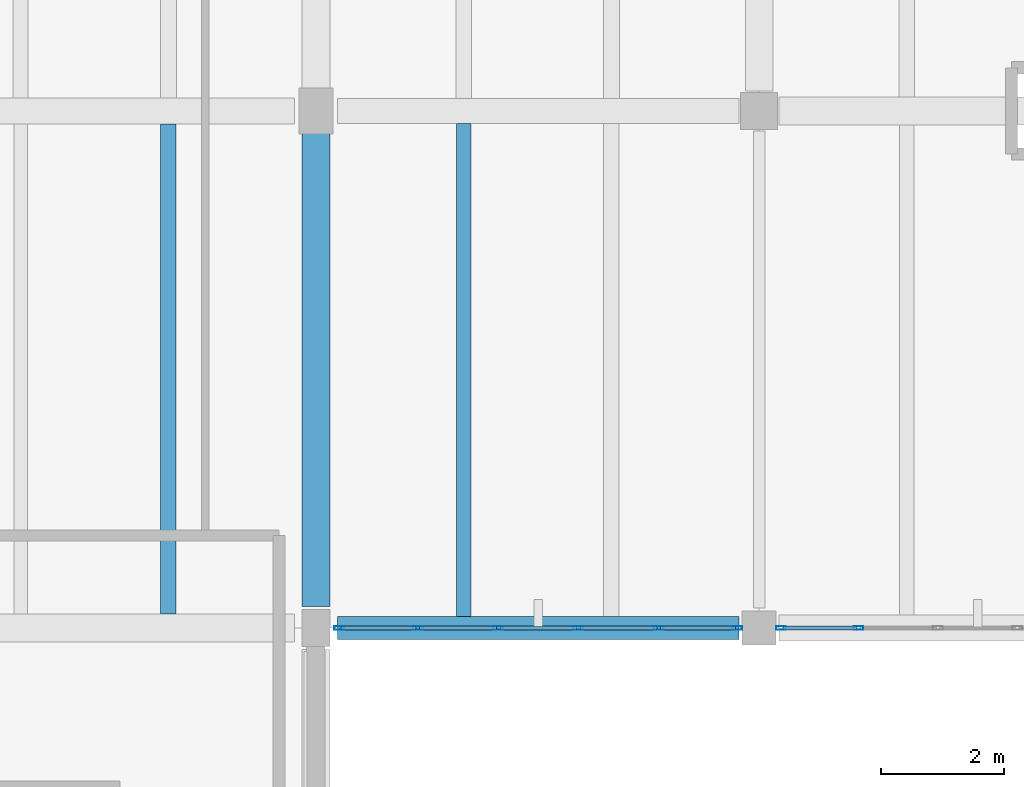
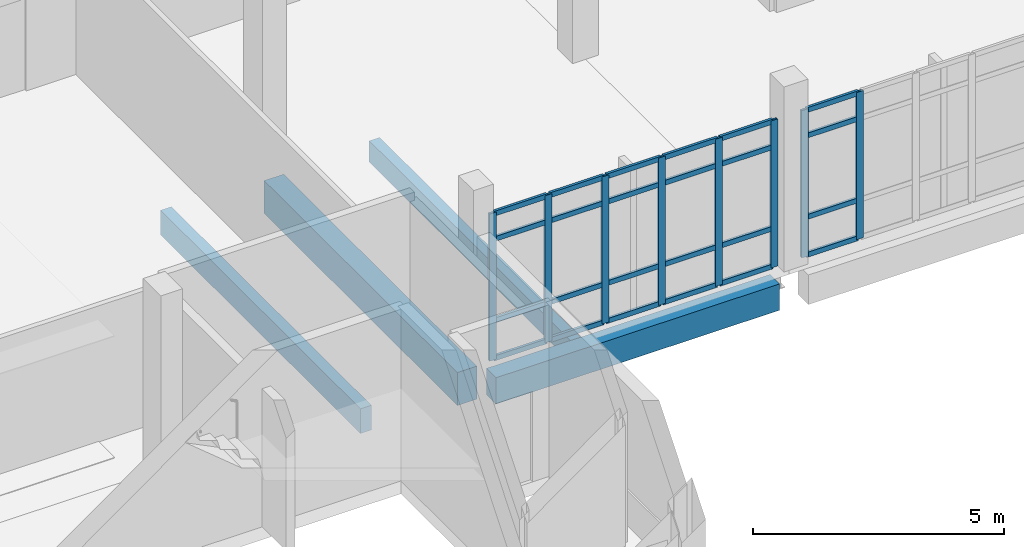
# One storey, part 28 of 62: 32 members, 4 beams, 2 elements without a shape of their own.
"""IFC4 building model written with IfcOpenShell, lengths in metres."""

import ifcopenshell
import ifcopenshell.guid

model = None  # the IFC model being written
_history = None  # IfcOwnerHistory: only IFC2X3 demands one
_inside = {}  # id of a spatial element -> (the spatial element, [elements in it])
_under = {}  # id of a project, library or spatial element -> (it, [spatial elements below it])
_declared = {}  # id of a project -> (the project, [libraries it declares])
_typed = {}  # id of a type object -> (the type object, [elements of that type])
_made_of = {}  # id of a material, layer set ... -> (it, [elements and type objects made of it])


def new_model(schema):
    """Start an empty IFC model of exactly this schema.

    Asked for "IFC4X3", IfcOpenShell would pick the latest addendum, in which some entities
    have other attributes; the version numbers below select the first issue.
    IFC2X3 requires an IfcOwnerHistory on every rooted entity: one is made here for all.
    """
    global model, _history
    if schema == "IFC4X3":
        model = ifcopenshell.file(schema_version=(4, 3, 0, 0))
    else:
        model = ifcopenshell.file(schema=schema)
    _inside.clear()
    _under.clear()
    _declared.clear()
    _typed.clear()
    _made_of.clear()
    _history = None
    if model.schema == "IFC2X3":
        org = make("IfcOrganization", Name="unknown")
        user = make(
            "IfcPersonAndOrganization",
            ThePerson=make("IfcPerson", FamilyName="unknown"),
            TheOrganization=org,
        )
        app = make(
            "IfcApplication",
            ApplicationDeveloper=org,
            Version="unknown",
            ApplicationFullName="unknown",
            ApplicationIdentifier="unknown",
        )
        _history = make(
            "IfcOwnerHistory",
            OwningUser=user,
            OwningApplication=app,
            ChangeAction="ADDED",
            CreationDate=0,
        )
    return model


def make(cls, **values):
    """One entity of the class cls with the attributes given. An attribute that is None is left unset."""
    return model.create_entity(
        cls, **{name: value for name, value in values.items() if value is not None}
    )


def rooted(cls, **values):
    """An entity with a GlobalId (a new one), such as an element, a storey or a relation."""
    return make(cls, GlobalId=ifcopenshell.guid.new(), OwnerHistory=_history, **values)


def si_unit(unit_type, name, prefix=None):
    """IfcSIUnit, for example si_unit("LENGTHUNIT", "METRE", prefix="MILLI")."""
    return make("IfcSIUnit", UnitType=unit_type, Prefix=prefix, Name=name)


def assignment(units):
    """IfcUnitAssignment: the units of a project."""
    return None if units is None else make("IfcUnitAssignment", Units=units)


def point(xyz):
    """IfcCartesianPoint."""
    return None if xyz is None else make("IfcCartesianPoint", Coordinates=xyz)


def direction(xyz):
    """IfcDirection."""
    return None if xyz is None else make("IfcDirection", DirectionRatios=xyz)


def frame(location, z_axis=None, x_axis=None):
    """IfcAxis2Placement3D, a coordinate frame: its origin and axes. An axis left out is left unset."""
    return make(
        "IfcAxis2Placement3D",
        Location=point(location),
        Axis=direction(z_axis),
        RefDirection=direction(x_axis),
    )


def frame_2d(location, x_axis=None):
    """IfcAxis2Placement2D, a coordinate frame in the plane: its origin and x axis."""
    return make(
        "IfcAxis2Placement2D", Location=point(location), RefDirection=direction(x_axis)
    )


def origin():
    """The frame at (0, 0, 0) with its axes left unset."""
    return frame((0.0, 0.0, 0.0))


def origin_2d():
    """The frame at (0, 0) in the plane with its x axis left unset."""
    return frame_2d((0.0, 0.0))


def place(relative_to, where):
    """IfcLocalPlacement: puts the frame where relative to a parent placement (None: the world)."""
    return make(
        "IfcLocalPlacement", PlacementRelTo=relative_to, RelativePlacement=where
    )


def context(
    kind, dimensions, precision=None, world=None, true_north=None, identifier=None
):
    """IfcGeometricRepresentationContext, for example the 3D "Model" context."""
    return make(
        "IfcGeometricRepresentationContext",
        ContextIdentifier=identifier,
        ContextType=kind,
        CoordinateSpaceDimension=dimensions,
        Precision=precision,
        WorldCoordinateSystem=world,
        TrueNorth=true_north,
    )


def subcontext(parent, identifier, kind, view, scale=None):
    """IfcGeometricRepresentationSubContext, for example "Body" below "Model"."""
    return make(
        "IfcGeometricRepresentationSubContext",
        ContextIdentifier=identifier,
        ContextType=kind,
        ParentContext=parent,
        TargetScale=scale,
        TargetView=view,
    )


def project(units=None, contexts=None):
    """IfcProject with its units and contexts."""
    return rooted(
        "IfcProject",
        Name="project",
        RepresentationContexts=contexts,
        UnitsInContext=assignment(units),
    )


def spatial(cls, under=None, at=None, **own):
    """A site, building, storey or space (cls), placed at a placement, below another one or the project."""
    s = rooted(cls, ObjectPlacement=at, **own)
    if under is not None:
        _under.setdefault(under.id(), (under, []))[1].append(s)
    return s


def profile(cls, at=None, kind="AREA", **sizes):
    """A parametric profile (cls). Its sizes go by their IFC names, for example OverallWidth=200.0."""
    return make(cls, ProfileType=kind, Position=at, **sizes)


def rectangle(**sizes):
    """IfcRectangleProfileDef."""
    return profile("IfcRectangleProfileDef", **sizes)


def hollow_rectangle(**sizes):
    """IfcRectangleHollowProfileDef."""
    return profile("IfcRectangleHollowProfileDef", **sizes)


def extrude(swept, where, along, depth):
    """IfcExtrudedAreaSolid: the profile swept, set in the frame where, extruded along a direction by depth."""
    return make(
        "IfcExtrudedAreaSolid",
        SweptArea=swept,
        Position=where,
        ExtrudedDirection=direction(along),
        Depth=depth,
    )


def shape(context_of_items, identifier, shape_type, items):
    """IfcShapeRepresentation: the items that make up one representation, for example the "Body"."""
    return make(
        "IfcShapeRepresentation",
        ContextOfItems=context_of_items,
        RepresentationIdentifier=identifier,
        RepresentationType=shape_type,
        Items=items,
    )


def material(Name=None, Category=None):
    """IfcMaterial."""
    return make("IfcMaterial", Name=Name, Category=Category)


def material_profile(
    of_material, cross_section, Name=None, Category=None, Priority=None
):
    """IfcMaterialProfile: a cross section and its material."""
    return make(
        "IfcMaterialProfile",
        Name=Name,
        Material=of_material,
        Profile=cross_section,
        Priority=Priority,
        Category=Category,
    )


def profile_set(profiles, Name=None, composite=None):
    """IfcMaterialProfileSet."""
    return make(
        "IfcMaterialProfileSet",
        Name=Name,
        MaterialProfiles=profiles,
        CompositeProfile=composite,
    )


def made_of(thing, what):
    """Note that an element or type object is made of a material, layer set ...; save() writes the relation."""
    if what is not None:
        _made_of.setdefault(what.id(), (what, []))[1].append(thing)
    return thing


def type_object(cls, material=None, **own):
    """A type object (cls), such as IfcWallType, which elements share."""
    return made_of(rooted(cls, **own), material)


def element(
    cls,
    number,
    at=None,
    inside=None,
    cuts=None,
    type_object=None,
    material=None,
    context=None,
    identifier="Body",
    shape_type=None,
    held_by="IfcProductDefinitionShape",
    body=None,
    shapes=None,
    **own,
):
    """One element of the class cls, such as IfcWall. Its Tag is "e" and its number.

    at: its placement. inside: the storey or other place that contains it. cuts: it is an
    opening in that element (IfcRelVoidsElement). A single representation is given by context,
    identifier, shape_type and body (its items); several are given by shapes. held_by: the class
    of the entity that holds the representations. save() writes the other relations.
    """
    e = rooted(cls, Tag="e%d" % number, ObjectPlacement=at, **own)
    if body is not None:
        shapes = [shape(context, identifier, shape_type, body)]
    if shapes is not None:
        e.Representation = make(held_by, Representations=shapes)
    if inside is not None:
        _inside.setdefault(inside.id(), (inside, []))[1].append(e)
    if cuts is not None:
        rooted(
            "IfcRelVoidsElement", RelatingBuildingElement=cuts, RelatedOpeningElement=e
        )
    if type_object is not None:
        _typed.setdefault(type_object.id(), (type_object, []))[1].append(e)
    return made_of(e, material)


def aggregate(whole, parts):
    """IfcRelAggregates: a whole, such as a stair, and the parts it consists of."""
    return rooted("IfcRelAggregates", RelatingObject=whole, RelatedObjects=parts)


def save(model, path):
    """Write the relations noted so far, then the file.

    IfcRelAggregates (storeys below a building ...), IfcRelContainedInSpatialStructure (elements
    in a storey), IfcRelDefinesByType, IfcRelAssociatesMaterial and IfcRelDeclares: one each for
    every whole, place, type object, material and project.
    """
    for whole, parts in _under.values():
        aggregate(whole, parts)
    for where, things in _inside.values():
        rooted(
            "IfcRelContainedInSpatialStructure",
            RelatedElements=things,
            RelatingStructure=where,
        )
    for kind, things in _typed.values():
        rooted("IfcRelDefinesByType", RelatedObjects=things, RelatingType=kind)
    for what, things in _made_of.values():
        rooted("IfcRelAssociatesMaterial", RelatedObjects=things, RelatingMaterial=what)
    for by, libraries in _declared.values():
        rooted("IfcRelDeclares", RelatingContext=by, RelatedDefinitions=libraries)
    model.write(path)


model = new_model("IFC4")

# Units and contexts
model_context = context("Model", 3, precision=1e-05, world=origin(), true_north=direction((0.0, 1.0)))
body_context = subcontext(model_context, "Body", "Model", "MODEL_VIEW")
ifc_project = project(units=[si_unit("LENGTHUNIT", "METRE"), si_unit("AREAUNIT", "SQUARE_METRE"), si_unit("VOLUMEUNIT", "CUBIC_METRE"), si_unit("PLANEANGLEUNIT", "RADIAN"), si_unit("MASSUNIT", "GRAM", prefix="KILO")], contexts=[model_context])

# Site, building, storey
site_placement = place(None, origin())
site = spatial("IfcSite", under=ifc_project, at=site_placement, CompositionType="ELEMENT")
building_placement = place(site_placement, origin())
building = spatial("IfcBuilding", under=site, at=building_placement, Name="Kalluvel Institute of Natural Sciences", CompositionType="ELEMENT")
storey_placement = place(building_placement, frame((0.0, 0.0, 27.89990234375)))
storey = spatial("IfcBuildingStorey", under=building, at=storey_placement, Name="L06", CompositionType="ELEMENT", Elevation=27.89990234375)

# Beams
ifc_material_1 = material(Name="Concrete M40", Category="concrete")
ifc_material_profile_1 = material_profile(ifc_material_1, rectangle(XDim=0.3798828125, YDim=0.639892578125, at=origin_2d()), Name="RCB 380x640")
ifc_profile_set_1 = profile_set([ifc_material_profile_1], Name="Concrete M40")
beam_type_1 = type_object("IfcBeamType", Name="BM-RC380x640", PredefinedType="BEAM", material=ifc_profile_set_1)
beam_1_placement = place(storey_placement, frame((57.550048828125, 102.800048828125, -0.639892578125), z_axis=(1.0, 0.0, 0.0), x_axis=(0.0, 1.0, 0.0)))
element("IfcBeam", 1, at=beam_1_placement, inside=storey, type_object=beam_type_1, Name="L06 girder GIR-L06-EW-X572-Y1028", PredefinedType="BEAM", context=body_context, shape_type="SweptSolid", body=[
    extrude(rectangle(XDim=0.3798828125, YDim=0.639892578125, at=origin_2d()), origin(), (0.0, 0.0, 1.0), 6.52490234375),
])
ifc_material_profile_2 = material_profile(ifc_material_1, rectangle(XDim=0.449951171875, YDim=0.800048828125, at=origin_2d()), Name="RCB 450x800")
ifc_profile_set_2 = profile_set([ifc_material_profile_2], Name="Concrete M40")
beam_type_2 = type_object("IfcBeamType", Name="BM-RC450x800", PredefinedType="BEAM", material=ifc_profile_set_2)
beam_2_placement = place(storey_placement, frame((57.199951171875, 103.14990234375, -0.719970703125), z_axis=(0.0, 1.0, 0.0), x_axis=(-1.0, 0.0, 0.0)))
element("IfcBeam", 2, at=beam_2_placement, inside=storey, type_object=beam_type_2, Name="L06 girder GIR-L06-NS-X572-Y1028", PredefinedType="BEAM", context=body_context, shape_type="SweptSolid", body=[
    extrude(rectangle(XDim=0.449951171875, YDim=0.800048828125, at=origin_2d()), origin(), (0.0, 0.0, 1.0), 7.7001953125),
])

# Curtain wall, members
ifc_material_2 = material(Name="Aluminium AW-6063 T6", Category="aluminium")
curtain_wall_type = type_object("IfcCurtainWallType", Name="CW-WET-45", PredefinedType="USERDEFINED", material=ifc_material_2)
curtain_wall_1_placement = place(storey_placement, origin())
curtain_wall_1 = element("IfcCurtainWall", 3, at=curtain_wall_1_placement, inside=storey, type_object=curtain_wall_type, Name="L06 Gothic lancet curtain wall CWA-L06-X576-Y1028", ObjectType="UNITISED LANCET FACADE", PredefinedType="USERDEFINED")
ifc_material_profile_3 = material_profile(ifc_material_2, hollow_rectangle(XDim=0.06005859375, YDim=0.159912109375, WallThickness=0.00390625, at=origin_2d()), Name="CWM 60x160")
ifc_profile_set_3 = profile_set([ifc_material_profile_3], Name="Aluminium AW-6063 T6")
member_type_1 = type_object("IfcMemberType", Name="CWM-60x160", PredefinedType="MULLION", material=ifc_profile_set_3)
member_1_placement = place(storey_placement, frame((57.580078125, 102.800048828125, 0.0), z_axis=(0.0, 0.0, 1.0), x_axis=(0.0, 1.0, 0.0)))
member_1 = element("IfcMember", 4, at=member_1_placement, type_object=member_type_1, Name="CW-01 mullion 1", PredefinedType="MULLION", context=body_context, shape_type="SweptSolid", body=[
    extrude(hollow_rectangle(XDim=0.06005859375, YDim=0.159912109375, WallThickness=0.00390625, at=origin_2d()), origin(), (0.0, 0.0, 1.0), 3.580078125),
])
member_2_placement = place(storey_placement, frame((58.85498046875, 102.800048828125, 0.0), z_axis=(0.0, 0.0, 1.0), x_axis=(0.0, 1.0, 0.0)))
member_2 = element("IfcMember", 5, at=member_2_placement, type_object=member_type_1, Name="CW-01 mullion 2", PredefinedType="MULLION", context=body_context, shape_type="SweptSolid", body=[
    extrude(hollow_rectangle(XDim=0.06005859375, YDim=0.159912109375, WallThickness=0.00390625, at=origin_2d()), origin(), (0.0, 0.0, 1.0), 3.580078125),
])
member_3_placement = place(storey_placement, frame((60.159912109375, 102.800048828125, 0.0), z_axis=(0.0, 0.0, 1.0), x_axis=(0.0, 1.0, 0.0)))
member_3 = element("IfcMember", 6, at=member_3_placement, type_object=member_type_1, Name="CW-01 mullion 3", PredefinedType="MULLION", context=body_context, shape_type="SweptSolid", body=[
    extrude(hollow_rectangle(XDim=0.06005859375, YDim=0.159912109375, WallThickness=0.00390625, at=origin_2d()), origin(), (0.0, 0.0, 1.0), 3.580078125),
])
member_4_placement = place(storey_placement, frame((61.465087890625, 102.800048828125, 0.0), z_axis=(0.0, 0.0, 1.0), x_axis=(0.0, 1.0, 0.0)))
member_4 = element("IfcMember", 7, at=member_4_placement, type_object=member_type_1, Name="CW-01 mullion 4", PredefinedType="MULLION", context=body_context, shape_type="SweptSolid", body=[
    extrude(hollow_rectangle(XDim=0.06005859375, YDim=0.159912109375, WallThickness=0.00390625, at=origin_2d()), origin(), (0.0, 0.0, 1.0), 3.580078125),
])
member_5_placement = place(storey_placement, frame((62.77001953125, 102.800048828125, 0.0), z_axis=(0.0, 0.0, 1.0), x_axis=(0.0, 1.0, 0.0)))
member_5 = element("IfcMember", 8, at=member_5_placement, type_object=member_type_1, Name="CW-01 mullion 5", PredefinedType="MULLION", context=body_context, shape_type="SweptSolid", body=[
    extrude(hollow_rectangle(XDim=0.06005859375, YDim=0.159912109375, WallThickness=0.00390625, at=origin_2d()), origin(), (0.0, 0.0, 1.0), 3.580078125),
])
member_6_placement = place(storey_placement, frame((64.044921875, 102.800048828125, 0.0), z_axis=(0.0, 0.0, 1.0), x_axis=(0.0, 1.0, 0.0)))
member_6 = element("IfcMember", 9, at=member_6_placement, type_object=member_type_1, Name="CW-01 mullion 6", PredefinedType="MULLION", context=body_context, shape_type="SweptSolid", body=[
    extrude(hollow_rectangle(XDim=0.06005859375, YDim=0.159912109375, WallThickness=0.00390625, at=origin_2d()), origin(), (0.0, 0.0, 1.0), 3.580078125),
])

curtain_wall_2_placement = place(storey_placement, origin())
curtain_wall_2 = element("IfcCurtainWall", 10, at=curtain_wall_2_placement, inside=storey, type_object=curtain_wall_type, Name="L06 Gothic lancet curtain wall CWA-L06-X647-Y1028", ObjectType="UNITISED LANCET FACADE", PredefinedType="USERDEFINED")
member_7_placement = place(storey_placement, frame((64.7548828125, 102.800048828125, 0.0), z_axis=(0.0, 0.0, 1.0), x_axis=(0.0, 1.0, 0.0)))
member_7 = element("IfcMember", 11, at=member_7_placement, type_object=member_type_1, Name="CW-01 mullion 1", PredefinedType="MULLION", context=body_context, shape_type="SweptSolid", body=[
    extrude(hollow_rectangle(XDim=0.06005859375, YDim=0.159912109375, WallThickness=0.00390625, at=origin_2d()), origin(), (0.0, 0.0, 1.0), 3.580078125),
])
member_8_placement = place(storey_placement, frame((66.014892578125, 102.800048828125, 0.0), z_axis=(0.0, 0.0, 1.0), x_axis=(0.0, 1.0, 0.0)))
member_8 = element("IfcMember", 12, at=member_8_placement, type_object=member_type_1, Name="CW-01 mullion 2", PredefinedType="MULLION", context=body_context, shape_type="SweptSolid", body=[
    extrude(hollow_rectangle(XDim=0.06005859375, YDim=0.159912109375, WallThickness=0.00390625, at=origin_2d()), origin(), (0.0, 0.0, 1.0), 3.580078125),
])

# Member
ifc_material_profile_4 = material_profile(ifc_material_2, hollow_rectangle(XDim=0.06005859375, YDim=0.1201171875, WallThickness=0.00390625, at=origin_2d()), Name="CWT 60x120")
ifc_profile_set_4 = profile_set([ifc_material_profile_4], Name="Aluminium AW-6063 T6")
member_type_2 = type_object("IfcMemberType", Name="CWT-60x120", PredefinedType="USERDEFINED", material=ifc_profile_set_4)
member_9_placement = place(storey_placement, frame((57.610107421875, 102.800048828125, 0.030029296875), z_axis=(1.0, 0.0, 0.0), x_axis=(0.0, 1.0, 0.0)))
member_9 = element("IfcMember", 13, at=member_9_placement, type_object=member_type_2, Name="CW-01 transom 1.1", ObjectType="TRANSOM", PredefinedType="USERDEFINED", context=body_context, shape_type="SweptSolid", body=[
    extrude(hollow_rectangle(XDim=0.06005859375, YDim=0.1201171875, WallThickness=0.00390625, at=origin_2d()), origin(), (0.0, 0.0, 1.0), 1.21484375),
])

member_10_placement = place(storey_placement, frame((57.610107421875, 102.800048828125, 0.9501953125), z_axis=(1.0, 0.0, 0.0), x_axis=(0.0, 1.0, 0.0)))
member_10 = element("IfcMember", 14, at=member_10_placement, type_object=member_type_2, Name="CW-01 transom 1.2", ObjectType="TRANSOM", PredefinedType="USERDEFINED", context=body_context, shape_type="SweptSolid", body=[
    extrude(hollow_rectangle(XDim=0.06005859375, YDim=0.1201171875, WallThickness=0.00390625, at=origin_2d()), origin(), (0.0, 0.0, 1.0), 1.21484375),
])

member_11_placement = place(storey_placement, frame((57.610107421875, 102.800048828125, 2.93017578125), z_axis=(1.0, 0.0, 0.0), x_axis=(0.0, 1.0, 0.0)))
member_11 = element("IfcMember", 15, at=member_11_placement, type_object=member_type_2, Name="CW-01 transom 1.3", ObjectType="TRANSOM", PredefinedType="USERDEFINED", context=body_context, shape_type="SweptSolid", body=[
    extrude(hollow_rectangle(XDim=0.06005859375, YDim=0.1201171875, WallThickness=0.00390625, at=origin_2d()), origin(), (0.0, 0.0, 1.0), 1.21484375),
])

member_12_placement = place(storey_placement, frame((57.610107421875, 102.800048828125, 3.550048828125), z_axis=(1.0, 0.0, 0.0), x_axis=(0.0, 1.0, 0.0)))
member_12 = element("IfcMember", 16, at=member_12_placement, type_object=member_type_2, Name="CW-01 transom 1.4", ObjectType="TRANSOM", PredefinedType="USERDEFINED", context=body_context, shape_type="SweptSolid", body=[
    extrude(hollow_rectangle(XDim=0.06005859375, YDim=0.1201171875, WallThickness=0.00390625, at=origin_2d()), origin(), (0.0, 0.0, 1.0), 1.21484375),
])

member_13_placement = place(storey_placement, frame((58.885009765625, 102.800048828125, 0.030029296875), z_axis=(1.0, 0.0, 0.0), x_axis=(0.0, 1.0, 0.0)))
member_13 = element("IfcMember", 17, at=member_13_placement, type_object=member_type_2, Name="CW-01 transom 2.1", ObjectType="TRANSOM", PredefinedType="USERDEFINED", context=body_context, shape_type="SweptSolid", body=[
    extrude(hollow_rectangle(XDim=0.06005859375, YDim=0.1201171875, WallThickness=0.00390625, at=origin_2d()), origin(), (0.0, 0.0, 1.0), 1.244873046875),
])

member_14_placement = place(storey_placement, frame((58.885009765625, 102.800048828125, 0.9501953125), z_axis=(1.0, 0.0, 0.0), x_axis=(0.0, 1.0, 0.0)))
member_14 = element("IfcMember", 18, at=member_14_placement, type_object=member_type_2, Name="CW-01 transom 2.2", ObjectType="TRANSOM", PredefinedType="USERDEFINED", context=body_context, shape_type="SweptSolid", body=[
    extrude(hollow_rectangle(XDim=0.06005859375, YDim=0.1201171875, WallThickness=0.00390625, at=origin_2d()), origin(), (0.0, 0.0, 1.0), 1.244873046875),
])

member_15_placement = place(storey_placement, frame((58.885009765625, 102.800048828125, 2.93017578125), z_axis=(1.0, 0.0, 0.0), x_axis=(0.0, 1.0, 0.0)))
member_15 = element("IfcMember", 19, at=member_15_placement, type_object=member_type_2, Name="CW-01 transom 2.3", ObjectType="TRANSOM", PredefinedType="USERDEFINED", context=body_context, shape_type="SweptSolid", body=[
    extrude(hollow_rectangle(XDim=0.06005859375, YDim=0.1201171875, WallThickness=0.00390625, at=origin_2d()), origin(), (0.0, 0.0, 1.0), 1.244873046875),
])

member_16_placement = place(storey_placement, frame((58.885009765625, 102.800048828125, 3.550048828125), z_axis=(1.0, 0.0, 0.0), x_axis=(0.0, 1.0, 0.0)))
member_16 = element("IfcMember", 20, at=member_16_placement, type_object=member_type_2, Name="CW-01 transom 2.4", ObjectType="TRANSOM", PredefinedType="USERDEFINED", context=body_context, shape_type="SweptSolid", body=[
    extrude(hollow_rectangle(XDim=0.06005859375, YDim=0.1201171875, WallThickness=0.00390625, at=origin_2d()), origin(), (0.0, 0.0, 1.0), 1.244873046875),
])

member_17_placement = place(storey_placement, frame((60.18994140625, 102.800048828125, 0.030029296875), z_axis=(1.0, 0.0, 0.0), x_axis=(0.0, 1.0, 0.0)))
member_17 = element("IfcMember", 21, at=member_17_placement, type_object=member_type_2, Name="CW-01 transom 3.1", ObjectType="TRANSOM", PredefinedType="USERDEFINED", context=body_context, shape_type="SweptSolid", body=[
    extrude(hollow_rectangle(XDim=0.06005859375, YDim=0.1201171875, WallThickness=0.00390625, at=origin_2d()), origin(), (0.0, 0.0, 1.0), 1.2451171875),
])

member_18_placement = place(storey_placement, frame((60.18994140625, 102.800048828125, 0.9501953125), z_axis=(1.0, 0.0, 0.0), x_axis=(0.0, 1.0, 0.0)))
member_18 = element("IfcMember", 22, at=member_18_placement, type_object=member_type_2, Name="CW-01 transom 3.2", ObjectType="TRANSOM", PredefinedType="USERDEFINED", context=body_context, shape_type="SweptSolid", body=[
    extrude(hollow_rectangle(XDim=0.06005859375, YDim=0.1201171875, WallThickness=0.00390625, at=origin_2d()), origin(), (0.0, 0.0, 1.0), 1.2451171875),
])

member_19_placement = place(storey_placement, frame((60.18994140625, 102.800048828125, 2.93017578125), z_axis=(1.0, 0.0, 0.0), x_axis=(0.0, 1.0, 0.0)))
member_19 = element("IfcMember", 23, at=member_19_placement, type_object=member_type_2, Name="CW-01 transom 3.3", ObjectType="TRANSOM", PredefinedType="USERDEFINED", context=body_context, shape_type="SweptSolid", body=[
    extrude(hollow_rectangle(XDim=0.06005859375, YDim=0.1201171875, WallThickness=0.00390625, at=origin_2d()), origin(), (0.0, 0.0, 1.0), 1.2451171875),
])

member_20_placement = place(storey_placement, frame((60.18994140625, 102.800048828125, 3.550048828125), z_axis=(1.0, 0.0, 0.0), x_axis=(0.0, 1.0, 0.0)))
member_20 = element("IfcMember", 24, at=member_20_placement, type_object=member_type_2, Name="CW-01 transom 3.4", ObjectType="TRANSOM", PredefinedType="USERDEFINED", context=body_context, shape_type="SweptSolid", body=[
    extrude(hollow_rectangle(XDim=0.06005859375, YDim=0.1201171875, WallThickness=0.00390625, at=origin_2d()), origin(), (0.0, 0.0, 1.0), 1.2451171875),
])

member_21_placement = place(storey_placement, frame((61.4951171875, 102.800048828125, 0.030029296875), z_axis=(1.0, 0.0, 0.0), x_axis=(0.0, 1.0, 0.0)))
member_21 = element("IfcMember", 25, at=member_21_placement, type_object=member_type_2, Name="CW-01 transom 4.1", ObjectType="TRANSOM", PredefinedType="USERDEFINED", context=body_context, shape_type="SweptSolid", body=[
    extrude(hollow_rectangle(XDim=0.06005859375, YDim=0.1201171875, WallThickness=0.00390625, at=origin_2d()), origin(), (0.0, 0.0, 1.0), 1.244873046875),
])

member_22_placement = place(storey_placement, frame((61.4951171875, 102.800048828125, 0.9501953125), z_axis=(1.0, 0.0, 0.0), x_axis=(0.0, 1.0, 0.0)))
member_22 = element("IfcMember", 26, at=member_22_placement, type_object=member_type_2, Name="CW-01 transom 4.2", ObjectType="TRANSOM", PredefinedType="USERDEFINED", context=body_context, shape_type="SweptSolid", body=[
    extrude(hollow_rectangle(XDim=0.06005859375, YDim=0.1201171875, WallThickness=0.00390625, at=origin_2d()), origin(), (0.0, 0.0, 1.0), 1.244873046875),
])

member_23_placement = place(storey_placement, frame((61.4951171875, 102.800048828125, 2.93017578125), z_axis=(1.0, 0.0, 0.0), x_axis=(0.0, 1.0, 0.0)))
member_23 = element("IfcMember", 27, at=member_23_placement, type_object=member_type_2, Name="CW-01 transom 4.3", ObjectType="TRANSOM", PredefinedType="USERDEFINED", context=body_context, shape_type="SweptSolid", body=[
    extrude(hollow_rectangle(XDim=0.06005859375, YDim=0.1201171875, WallThickness=0.00390625, at=origin_2d()), origin(), (0.0, 0.0, 1.0), 1.244873046875),
])

member_24_placement = place(storey_placement, frame((61.4951171875, 102.800048828125, 3.550048828125), z_axis=(1.0, 0.0, 0.0), x_axis=(0.0, 1.0, 0.0)))
member_24 = element("IfcMember", 28, at=member_24_placement, type_object=member_type_2, Name="CW-01 transom 4.4", ObjectType="TRANSOM", PredefinedType="USERDEFINED", context=body_context, shape_type="SweptSolid", body=[
    extrude(hollow_rectangle(XDim=0.06005859375, YDim=0.1201171875, WallThickness=0.00390625, at=origin_2d()), origin(), (0.0, 0.0, 1.0), 1.244873046875),
])

member_25_placement = place(storey_placement, frame((62.800048828125, 102.800048828125, 0.030029296875), z_axis=(1.0, 0.0, 0.0), x_axis=(0.0, 1.0, 0.0)))
member_25 = element("IfcMember", 29, at=member_25_placement, type_object=member_type_2, Name="CW-01 transom 5.1", ObjectType="TRANSOM", PredefinedType="USERDEFINED", context=body_context, shape_type="SweptSolid", body=[
    extrude(hollow_rectangle(XDim=0.06005859375, YDim=0.1201171875, WallThickness=0.00390625, at=origin_2d()), origin(), (0.0, 0.0, 1.0), 1.21484375),
])

member_26_placement = place(storey_placement, frame((62.800048828125, 102.800048828125, 0.9501953125), z_axis=(1.0, 0.0, 0.0), x_axis=(0.0, 1.0, 0.0)))
member_26 = element("IfcMember", 30, at=member_26_placement, type_object=member_type_2, Name="CW-01 transom 5.2", ObjectType="TRANSOM", PredefinedType="USERDEFINED", context=body_context, shape_type="SweptSolid", body=[
    extrude(hollow_rectangle(XDim=0.06005859375, YDim=0.1201171875, WallThickness=0.00390625, at=origin_2d()), origin(), (0.0, 0.0, 1.0), 1.21484375),
])

member_27_placement = place(storey_placement, frame((62.800048828125, 102.800048828125, 2.93017578125), z_axis=(1.0, 0.0, 0.0), x_axis=(0.0, 1.0, 0.0)))
member_27 = element("IfcMember", 31, at=member_27_placement, type_object=member_type_2, Name="CW-01 transom 5.3", ObjectType="TRANSOM", PredefinedType="USERDEFINED", context=body_context, shape_type="SweptSolid", body=[
    extrude(hollow_rectangle(XDim=0.06005859375, YDim=0.1201171875, WallThickness=0.00390625, at=origin_2d()), origin(), (0.0, 0.0, 1.0), 1.21484375),
])

member_28_placement = place(storey_placement, frame((62.800048828125, 102.800048828125, 3.550048828125), z_axis=(1.0, 0.0, 0.0), x_axis=(0.0, 1.0, 0.0)))
member_28 = element("IfcMember", 32, at=member_28_placement, type_object=member_type_2, Name="CW-01 transom 5.4", ObjectType="TRANSOM", PredefinedType="USERDEFINED", context=body_context, shape_type="SweptSolid", body=[
    extrude(hollow_rectangle(XDim=0.06005859375, YDim=0.1201171875, WallThickness=0.00390625, at=origin_2d()), origin(), (0.0, 0.0, 1.0), 1.21484375),
])

aggregate(curtain_wall_1, [member_1, member_2, member_3, member_4, member_5, member_6, member_9, member_10, member_11, member_12, member_13, member_14, member_15, member_16, member_17, member_18, member_19, member_20, member_21, member_22, member_23, member_24, member_25, member_26, member_27, member_28])

member_29_placement = place(storey_placement, frame((64.784912109375, 102.800048828125, 0.030029296875), z_axis=(1.0, 0.0, 0.0), x_axis=(0.0, 1.0, 0.0)))
member_29 = element("IfcMember", 33, at=member_29_placement, type_object=member_type_2, Name="CW-01 transom 1.1", ObjectType="TRANSOM", PredefinedType="USERDEFINED", context=body_context, shape_type="SweptSolid", body=[
    extrude(hollow_rectangle(XDim=0.06005859375, YDim=0.1201171875, WallThickness=0.00390625, at=origin_2d()), origin(), (0.0, 0.0, 1.0), 1.2001953125),
])

member_30_placement = place(storey_placement, frame((64.784912109375, 102.800048828125, 0.9501953125), z_axis=(1.0, 0.0, 0.0), x_axis=(0.0, 1.0, 0.0)))
member_30 = element("IfcMember", 34, at=member_30_placement, type_object=member_type_2, Name="CW-01 transom 1.2", ObjectType="TRANSOM", PredefinedType="USERDEFINED", context=body_context, shape_type="SweptSolid", body=[
    extrude(hollow_rectangle(XDim=0.06005859375, YDim=0.1201171875, WallThickness=0.00390625, at=origin_2d()), origin(), (0.0, 0.0, 1.0), 1.2001953125),
])

member_31_placement = place(storey_placement, frame((64.784912109375, 102.800048828125, 2.93017578125), z_axis=(1.0, 0.0, 0.0), x_axis=(0.0, 1.0, 0.0)))
member_31 = element("IfcMember", 35, at=member_31_placement, type_object=member_type_2, Name="CW-01 transom 1.3", ObjectType="TRANSOM", PredefinedType="USERDEFINED", context=body_context, shape_type="SweptSolid", body=[
    extrude(hollow_rectangle(XDim=0.06005859375, YDim=0.1201171875, WallThickness=0.00390625, at=origin_2d()), origin(), (0.0, 0.0, 1.0), 1.2001953125),
])

member_32_placement = place(storey_placement, frame((64.784912109375, 102.800048828125, 3.550048828125), z_axis=(1.0, 0.0, 0.0), x_axis=(0.0, 1.0, 0.0)))
member_32 = element("IfcMember", 36, at=member_32_placement, type_object=member_type_2, Name="CW-01 transom 1.4", ObjectType="TRANSOM", PredefinedType="USERDEFINED", context=body_context, shape_type="SweptSolid", body=[
    extrude(hollow_rectangle(XDim=0.06005859375, YDim=0.1201171875, WallThickness=0.00390625, at=origin_2d()), origin(), (0.0, 0.0, 1.0), 1.2001953125),
])

aggregate(curtain_wall_2, [member_7, member_8, member_29, member_30, member_31, member_32])

# Beams
ifc_material_profile_5 = material_profile(ifc_material_1, rectangle(XDim=0.239990234375, YDim=0.52001953125, at=origin_2d()), Name="WAF 240x520")
ifc_profile_set_5 = profile_set([ifc_material_profile_5], Name="Concrete M40")
beam_type_3 = type_object("IfcBeamType", Name="WJ-240x520", PredefinedType="JOIST", material=ifc_profile_set_5)
beam_3_placement = place(storey_placement, frame((59.60009765625, 102.989990234375, -0.579833984375), z_axis=(0.0, 1.0, 0.0), x_axis=(-1.0, 0.0, 0.0)))
element("IfcBeam", 37, at=beam_3_placement, inside=storey, type_object=beam_type_3, Name="L06 waffle joist RIB-L06-0475", PredefinedType="JOIST", context=body_context, shape_type="SweptSolid", body=[
    extrude(rectangle(XDim=0.239990234375, YDim=0.52001953125, at=origin_2d()), origin(), (0.0, 0.0, 1.0), 8.010009765625),
])
ifc_material_profile_6 = material_profile(ifc_material_1, rectangle(XDim=0.25, YDim=0.60009765625, at=origin_2d()), Name="WAF 250x600")
ifc_profile_set_6 = profile_set([ifc_material_profile_6], Name="Concrete M40")
beam_type_4 = type_object("IfcBeamType", Name="WJ-250x600", PredefinedType="JOIST", material=ifc_profile_set_6)
beam_4_placement = place(storey_placement, frame((54.800048828125, 103.02490234375, -0.619873046875), z_axis=(0.0, 1.0, 0.0), x_axis=(-1.0, 0.0, 0.0)))
element("IfcBeam", 38, at=beam_4_placement, inside=storey, type_object=beam_type_4, Name="L06 waffle joist RIB-L06-0470", PredefinedType="JOIST", context=body_context, shape_type="SweptSolid", body=[
    extrude(rectangle(XDim=0.25, YDim=0.60009765625, at=origin_2d()), origin(), (0.0, 0.0, 1.0), 7.965087890625),
])

save(model, "model.ifc")
